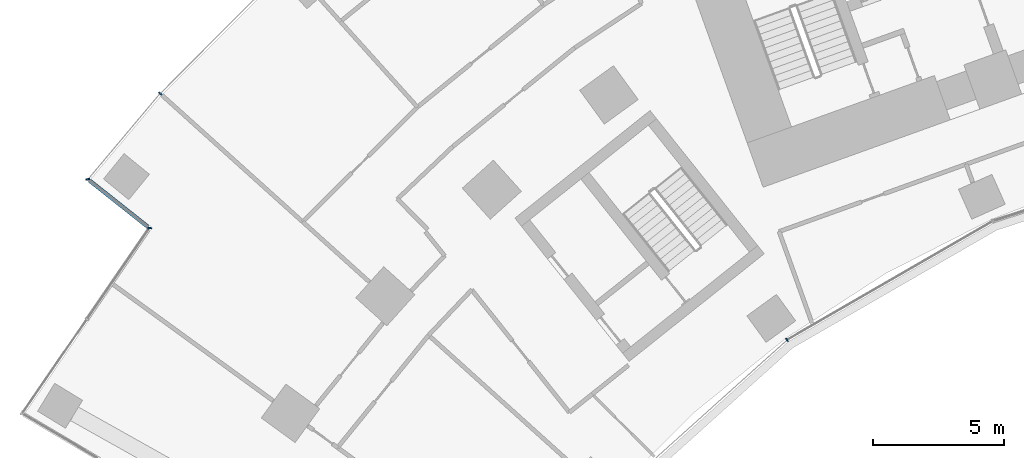
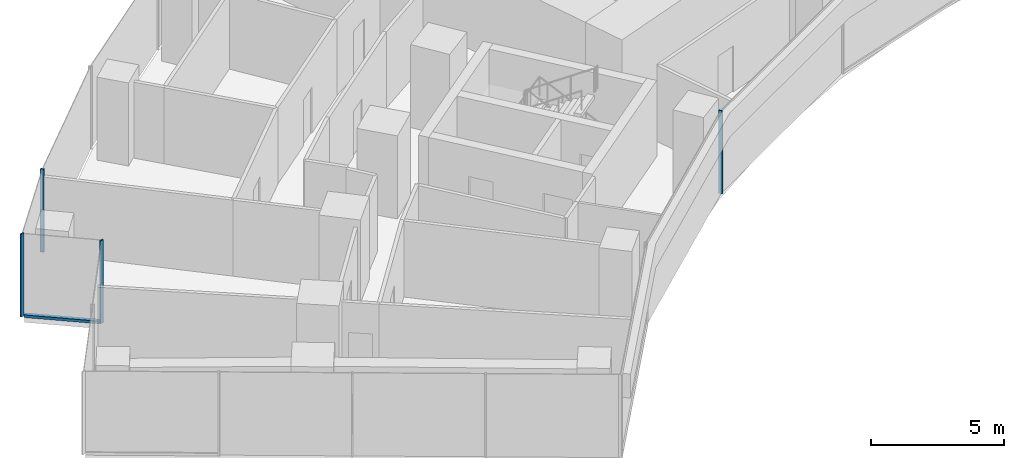
# One storey, part 3 of 21: 5 members, 4 elements without a shape of their own.
"""IFC4 building model written with IfcOpenShell, lengths in metres."""

from ifc_helpers import new_model, si_unit, direction, frame, origin, origin_2d, place, context, subcontext, project, spatial, rectangle, extrude, material, layer, layer_set, material_profile, profile_set, type_object, element, aggregate, save


model = new_model("IFC4")

# Units and contexts
model_context = context("Model", 3, precision=1e-05, world=origin(), true_north=direction((0.0, 1.0)))
body_context = subcontext(model_context, "Body", "Model", "MODEL_VIEW")
ifc_project = project(units=[si_unit("LENGTHUNIT", "METRE"), si_unit("AREAUNIT", "SQUARE_METRE"), si_unit("VOLUMEUNIT", "CUBIC_METRE"), si_unit("PLANEANGLEUNIT", "RADIAN"), si_unit("MASSUNIT", "GRAM", prefix="KILO")], contexts=[model_context])

# Site, building, storey
site_placement = place(None, origin())
site = spatial("IfcSite", under=ifc_project, at=site_placement, CompositionType="ELEMENT")
building_placement = place(site_placement, origin())
building = spatial("IfcBuilding", under=site, at=building_placement, Name="Stone Belt Terrace Tower", CompositionType="ELEMENT")
storey_placement = place(building_placement, frame((0.0, 0.0, 45.199951171875)))
storey = spatial("IfcBuildingStorey", under=building, at=storey_placement, Name="L10", CompositionType="ELEMENT", Elevation=45.199951171875)

# Curtain wall, member
ifc_material = material(Name="Aluminium 6063-T6 anodised frame", Category="aluminium")
ifc_layer_1 = layer(ifc_material, 0.14990234375)
ifc_layer_set_1 = layer_set([ifc_layer_1], Name="CW-A unitised convex-face curtain wall")
curtain_wall_type_1 = type_object("IfcCurtainWallType", Name="CW-A unitised convex-face curtain wall", PredefinedType="NOTDEFINED", material=ifc_layer_set_1)
curtain_wall_1_placement = place(storey_placement, origin())
curtain_wall_1 = element("IfcCurtainWall", 1, at=curtain_wall_1_placement, inside=storey, type_object=curtain_wall_type_1, Name="CW-A convex face L10", PredefinedType="NOTDEFINED")
ifc_material_profile_1 = material_profile(ifc_material, rectangle(XDim=0.14990234375, YDim=0.06005859375, at=origin_2d()), Name="Aluminium 6063-T6 60x150")
ifc_profile_set_1 = profile_set([ifc_material_profile_1], Name="Aluminium 6063-T6 anodised frame")
member_type_1 = type_object("IfcMemberType", Name="CW-A mullion 60 x 150", PredefinedType="MULLION", material=ifc_profile_set_1)
member_1_placement = place(storey_placement, frame((-49.474365234375, 44.548095703125, 0.0), z_axis=(0.0, 0.0, 1.0), x_axis=(0.73617076011, -0.676795842155, 0.0)))
member_1 = element("IfcMember", 2, at=member_1_placement, type_object=member_type_1, Name="CW-A mullion 18", PredefinedType="MULLION", context=body_context, shape_type="SweptSolid", body=[
    extrude(rectangle(XDim=0.14990234375, YDim=0.06005859375, at=origin_2d()), origin(), (0.0, 0.0, 1.0), 3.800048828125),
])
aggregate(curtain_wall_1, [member_1])

ifc_layer_2 = layer(ifc_material, 0.14990234375)
ifc_layer_set_2 = layer_set([ifc_layer_2], Name="CW-B unitised concave-face curtain wall")
curtain_wall_type_2 = type_object("IfcCurtainWallType", Name="CW-B unitised concave-face curtain wall", PredefinedType="NOTDEFINED", material=ifc_layer_set_2)
curtain_wall_2_placement = place(storey_placement, origin())
curtain_wall_2 = element("IfcCurtainWall", 3, at=curtain_wall_2_placement, inside=storey, type_object=curtain_wall_type_2, Name="CW-B concave face L10", PredefinedType="NOTDEFINED")
ifc_material_profile_2 = material_profile(ifc_material, rectangle(XDim=0.14990234375, YDim=0.050048828125, at=origin_2d()), Name="Aluminium 6063-T6 50x150")
ifc_profile_set_2 = profile_set([ifc_material_profile_2], Name="Aluminium 6063-T6 anodised frame")
member_type_2 = type_object("IfcMemberType", Name="CW-B mullion 50 x 150", PredefinedType="MULLION", material=ifc_profile_set_2)
member_2_placement = place(storey_placement, frame((-25.5244140625, 35.13134765625, 0.0), z_axis=(0.0, 0.0, 1.0), x_axis=(-0.587785252292, 0.809016994375, 0.0)))
member_2 = element("IfcMember", 4, at=member_2_placement, type_object=member_type_2, Name="CW-B mullion 3", PredefinedType="MULLION", context=body_context, shape_type="SweptSolid", body=[
    extrude(rectangle(XDim=0.14990234375, YDim=0.050048828125, at=origin_2d()), origin(), (0.0, 0.0, 1.0), 3.800048828125),
])
aggregate(curtain_wall_2, [member_2])

ifc_layer_3 = layer(ifc_material, 0.14990234375)
ifc_layer_set_3 = layer_set([ifc_layer_3], Name="CW-C stick curtain wall, horn ends and notches")
curtain_wall_type_3 = type_object("IfcCurtainWallType", Name="CW-C stick curtain wall, horn ends and notches", PredefinedType="NOTDEFINED", material=ifc_layer_set_3)
curtain_wall_3_placement = place(storey_placement, origin())
curtain_wall_3 = element("IfcCurtainWall", 5, at=curtain_wall_3_placement, inside=storey, type_object=curtain_wall_type_3, Name="CW-C notch face L10", PredefinedType="NOTDEFINED")
ifc_material_profile_3 = material_profile(ifc_material, rectangle(XDim=0.14990234375, YDim=0.06005859375, at=origin_2d()), Name="Aluminium 6063-T6 60x150")
ifc_profile_set_3 = profile_set([ifc_material_profile_3], Name="Aluminium 6063-T6 anodised frame")
member_type_3 = type_object("IfcMemberType", Name="CW-C mullion 60 x 150", PredefinedType="MULLION", material=ifc_profile_set_3)
member_3_placement = place(storey_placement, frame((-52.24072265625, 41.27294921875, 0.0), z_axis=(0.0, 0.0, 1.0), x_axis=(0.995023084308, 0.099644677203, 0.0)))
member_3 = element("IfcMember", 6, at=member_3_placement, type_object=member_type_3, Name="CW-C mullion 1", PredefinedType="MULLION", context=body_context, shape_type="SweptSolid", body=[
    extrude(rectangle(XDim=0.14990234375, YDim=0.06005859375, at=origin_2d()), origin(), (0.0, 0.0, 1.0), 3.800048828125),
])

curtain_wall_4_placement = place(storey_placement, origin())
curtain_wall_4 = element("IfcCurtainWall", 7, at=curtain_wall_4_placement, inside=storey, type_object=curtain_wall_type_3, Name="CW-C notch face L10", PredefinedType="NOTDEFINED")
member_4_placement = place(storey_placement, frame((-49.88330078125, 39.406005859375, 0.0), z_axis=(0.0, 0.0, 1.0), x_axis=(0.988851375203, 0.14890586879, 0.0)))
member_4 = element("IfcMember", 8, at=member_4_placement, type_object=member_type_3, Name="CW-C mullion 1", PredefinedType="MULLION", context=body_context, shape_type="SweptSolid", body=[
    extrude(rectangle(XDim=0.14990234375, YDim=0.06005859375, at=origin_2d()), origin(), (0.0, 0.0, 1.0), 3.800048828125),
])
aggregate(curtain_wall_4, [member_4])

# Member
ifc_material_profile_4 = material_profile(ifc_material, rectangle(XDim=0.14990234375, YDim=0.1201171875, at=origin_2d()), Name="Aluminium 6063-T6 150x120")
ifc_profile_set_4 = profile_set([ifc_material_profile_4], Name="Aluminium 6063-T6 anodised frame")
member_type_4 = type_object("IfcMemberType", Name="CW-C transom 120 x 150", PredefinedType="USERDEFINED", material=ifc_profile_set_4)
member_5_placement = place(storey_placement, frame((-52.18212890625, 41.2265625, 0.06005859375), z_axis=(0.783966177893, -0.620803537297, 0.0), x_axis=(0.620803537297, 0.783966177893, 0.0)))
member_5 = element("IfcMember", 9, at=member_5_placement, type_object=member_type_4, Name="CW-C transom 1.1", ObjectType="TRANSOM", PredefinedType="USERDEFINED", context=body_context, shape_type="SweptSolid", body=[
    extrude(rectangle(XDim=0.14990234375, YDim=0.1201171875, at=origin_2d()), origin(), (0.0, 0.0, 1.0), 2.859375),
])

aggregate(curtain_wall_3, [member_3, member_5])

save(model, "model.ifc")
